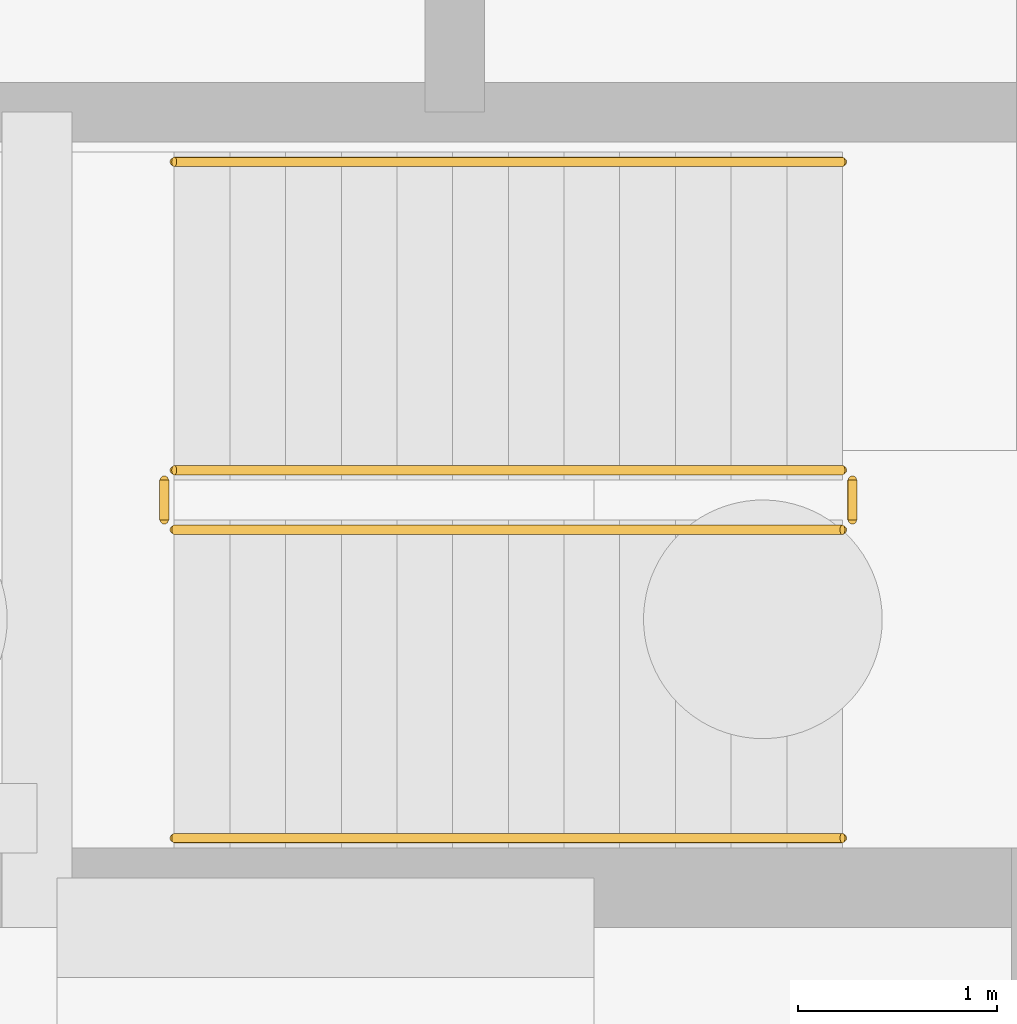
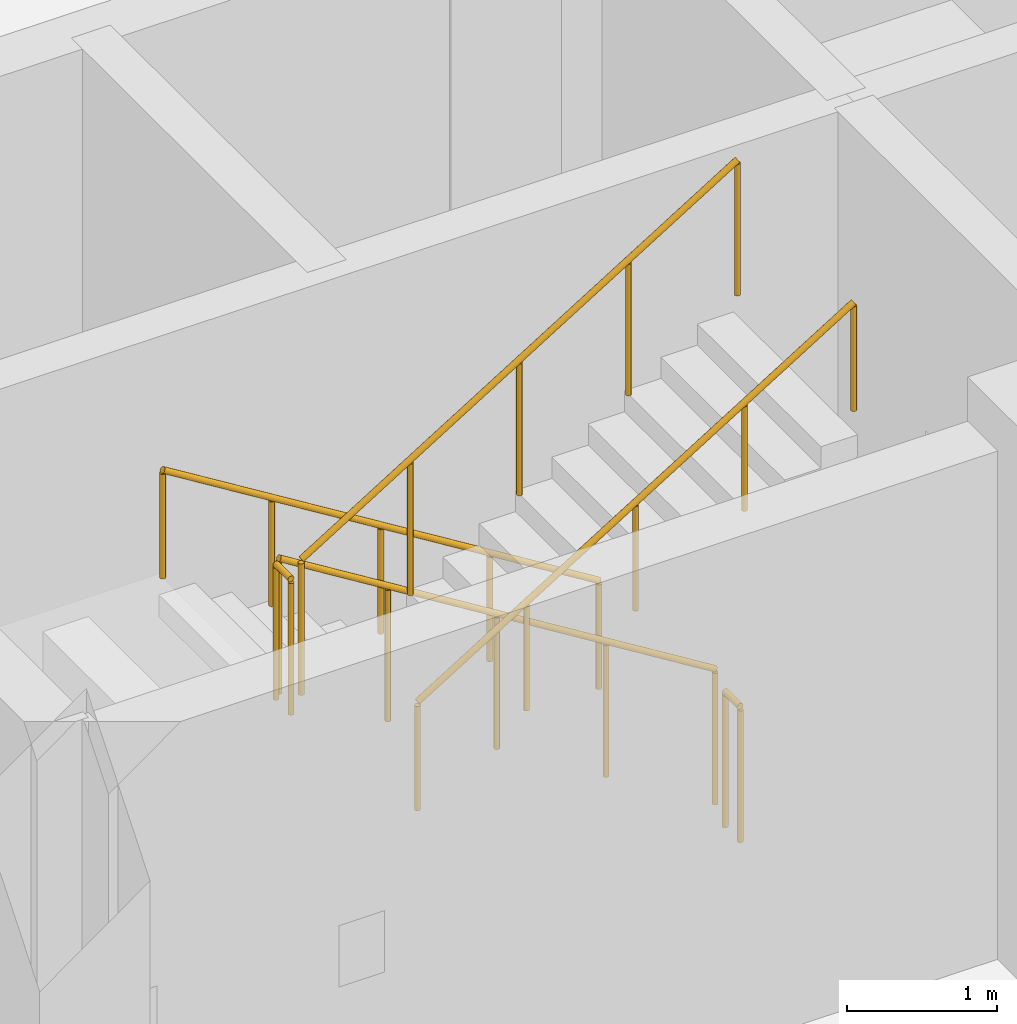
# One storey, part 40 of 42: 6 railings.
"""IFC4 building model written with IfcOpenShell, lengths in metres."""

from ifc_helpers import new_model, si_unit, direction, frame, origin, origin_2d, place, context, subcontext, project, spatial, circle, extrude, material, type_object, element, save


model = new_model("IFC4")

# Units and contexts
model_context = context("Model", 3, precision=1e-05, world=origin(), true_north=direction((0.0, 1.0)))
body_context = subcontext(model_context, "Body", "Model", "MODEL_VIEW")
ifc_project = project(units=[si_unit("LENGTHUNIT", "METRE"), si_unit("AREAUNIT", "SQUARE_METRE"), si_unit("VOLUMEUNIT", "CUBIC_METRE"), si_unit("PLANEANGLEUNIT", "RADIAN"), si_unit("MASSUNIT", "GRAM", prefix="KILO")], contexts=[model_context])

# Site, building, storey
site_placement = place(None, origin())
site = spatial("IfcSite", under=ifc_project, at=site_placement, CompositionType="ELEMENT")
building_placement = place(site_placement, origin())
building = spatial("IfcBuilding", under=site, at=building_placement, Name="Dalvernix Boulevard General Hospital", CompositionType="ELEMENT")
storey_placement = place(building_placement, frame((0.0, 0.0, -4.5)))
storey = spatial("IfcBuildingStorey", under=building, at=storey_placement, Name="B1", CompositionType="ELEMENT", Elevation=-4.5)

# Railings
ifc_material_1 = material(Name="Brushed stainless steel balustrade", Category="steel")
railing_type_1 = type_object("IfcRailingType", Name="RL-GR-INT1", PredefinedType="BALUSTRADE", material=ifc_material_1)
railing_1_placement = place(storey_placement, frame((133.85009765625, 9.800048828125, 0.173095703125)))
element("IfcRailing", 1, at=railing_1_placement, inside=storey, type_object=railing_type_1, Name="B1 ST-05 stair guard 1", PredefinedType="BALUSTRADE", context=body_context, shape_type="SweptSolid", body=[
    extrude(circle(Radius=0.02392578125, at=origin_2d()), frame((0.0, 0.0, 1.09619140625), z_axis=(-0.850623216509, 0.0, 0.525775754039), x_axis=(0.0, -1.0, 0.0)), (0.0, 0.0, 1.0), 3.9501953125),
    extrude(circle(Radius=0.02099609375, at=origin_2d()), origin(), (0.0, 0.0, 1.0), 1.072021484375),
    extrude(circle(Radius=0.02099609375, at=origin_2d()), frame((-0.840087890625, 0.0, 0.519287109375)), (0.0, 0.0, 1.0), 1.072021484375),
    extrude(circle(Radius=0.02099609375, at=origin_2d()), frame((-1.68017578125, 0.0, 1.03857421875)), (0.0, 0.0, 1.0), 1.072021484375),
    extrude(circle(Radius=0.02099609375, at=origin_2d()), frame((-2.52001953125, 0.0, 1.5576171875)), (0.0, 0.0, 1.0), 1.072021484375),
    extrude(circle(Radius=0.02099609375, at=origin_2d()), frame((-3.360107421875, 0.0, 2.076904296875)), (0.0, 0.0, 1.0), 1.072021484375),
])
railing_2_placement = place(storey_placement, frame((130.43994140625, 9.75, 2.25)))
element("IfcRailing", 2, at=railing_2_placement, inside=storey, type_object=railing_type_1, Name="B1 ST-05 stair guard 2", PredefinedType="BALUSTRADE", context=body_context, shape_type="SweptSolid", body=[
    extrude(circle(Radius=0.02392578125, at=origin_2d()), frame((0.0, 0.0, 1.09619140625), z_axis=(0.0, -1.0, 0.0), x_axis=(1.0, 0.0, 0.0)), (0.0, 0.0, 1.0), 0.199951171875),
    extrude(circle(Radius=0.02099609375, at=origin_2d()), origin(), (0.0, 0.0, 1.0), 1.072021484375),
    extrude(circle(Radius=0.02099609375, at=origin_2d()), frame((0.0, -0.199951171875, 0.0)), (0.0, 0.0, 1.0), 1.072021484375),
])
railing_3_placement = place(storey_placement, frame((130.489990234375, 9.5, 2.423095703125)))
element("IfcRailing", 3, at=railing_3_placement, inside=storey, type_object=railing_type_1, Name="B1 ST-05 stair guard 3", PredefinedType="BALUSTRADE", context=body_context, shape_type="SweptSolid", body=[
    extrude(circle(Radius=0.02392578125, at=origin_2d()), frame((0.0, 0.0, 1.09619140625), z_axis=(0.850623216509, 0.0, 0.525775754039), x_axis=(0.0, 1.0, 0.0)), (0.0, 0.0, 1.0), 3.9501953125),
    extrude(circle(Radius=0.02099609375, at=origin_2d()), origin(), (0.0, 0.0, 1.0), 1.072021484375),
    extrude(circle(Radius=0.02099609375, at=origin_2d()), frame((0.840087890625, 0.0, 0.519287109375)), (0.0, 0.0, 1.0), 1.072021484375),
    extrude(circle(Radius=0.02099609375, at=origin_2d()), frame((1.68017578125, 0.0, 1.03857421875)), (0.0, 0.0, 1.0), 1.072021484375),
    extrude(circle(Radius=0.02099609375, at=origin_2d()), frame((2.52001953125, 0.0, 1.5576171875)), (0.0, 0.0, 1.0), 1.072021484375),
    extrude(circle(Radius=0.02099609375, at=origin_2d()), frame((3.360107421875, 0.0, 2.076904296875)), (0.0, 0.0, 1.0), 1.072021484375),
])
railing_4_placement = place(storey_placement, frame((133.89990234375, 9.75, 0.0)))
element("IfcRailing", 4, at=railing_4_placement, inside=storey, type_object=railing_type_1, Name="B1 ST-05 stair guard 4", PredefinedType="BALUSTRADE", context=body_context, shape_type="SweptSolid", body=[
    extrude(circle(Radius=0.02392578125, at=origin_2d()), frame((0.0, 0.0, 1.09619140625), z_axis=(0.0, -1.0, 0.0), x_axis=(1.0, 0.0, 0.0)), (0.0, 0.0, 1.0), 0.199951171875),
    extrude(circle(Radius=0.02099609375, at=origin_2d()), origin(), (0.0, 0.0, 1.0), 1.072021484375),
    extrude(circle(Radius=0.02099609375, at=origin_2d()), frame((0.0, -0.199951171875, 0.0)), (0.0, 0.0, 1.0), 1.072021484375),
])
ifc_material_2 = material(Name="Brushed stainless steel wall handrail", Category="steel")
railing_type_2 = type_object("IfcRailingType", Name="RL-HR-INT1", PredefinedType="HANDRAIL", material=ifc_material_2)
railing_5_placement = place(storey_placement, frame((133.85009765625, 11.35009765625, 0.173095703125)))
element("IfcRailing", 5, at=railing_5_placement, inside=storey, type_object=railing_type_2, Name="B1 ST-05 stair handrail 1", PredefinedType="HANDRAIL", context=body_context, shape_type="SweptSolid", body=[
    extrude(circle(Radius=0.02392578125, at=origin_2d()), frame((0.0, 0.0, 0.8759765625), z_axis=(-0.850623216509, 0.0, 0.525775754039), x_axis=(0.0, -1.0, 0.0)), (0.0, 0.0, 1.0), 3.9501953125),
    extrude(circle(Radius=0.02099609375, at=origin_2d()), origin(), (0.0, 0.0, 1.0), 0.851806640625),
    extrude(circle(Radius=0.02099609375, at=origin_2d()), frame((-0.840087890625, 0.0, 0.519287109375)), (0.0, 0.0, 1.0), 0.851806640625),
    extrude(circle(Radius=0.02099609375, at=origin_2d()), frame((-1.68017578125, 0.0, 1.03857421875)), (0.0, 0.0, 1.0), 0.851806640625),
    extrude(circle(Radius=0.02099609375, at=origin_2d()), frame((-2.52001953125, 0.0, 1.5576171875)), (0.0, 0.0, 1.0), 0.851806640625),
    extrude(circle(Radius=0.02099609375, at=origin_2d()), frame((-3.360107421875, 0.0, 2.076904296875)), (0.0, 0.0, 1.0), 0.851806640625),
])
railing_6_placement = place(storey_placement, frame((130.489990234375, 7.949951171875, 2.423095703125)))
element("IfcRailing", 6, at=railing_6_placement, inside=storey, type_object=railing_type_2, Name="B1 ST-05 stair handrail 2", PredefinedType="HANDRAIL", context=body_context, shape_type="SweptSolid", body=[
    extrude(circle(Radius=0.02392578125, at=origin_2d()), frame((0.0, 0.0, 0.8759765625), z_axis=(0.850623216509, 0.0, 0.525775754039), x_axis=(0.0, 1.0, 0.0)), (0.0, 0.0, 1.0), 3.9501953125),
    extrude(circle(Radius=0.02099609375, at=origin_2d()), origin(), (0.0, 0.0, 1.0), 0.851806640625),
    extrude(circle(Radius=0.02099609375, at=origin_2d()), frame((0.840087890625, 0.0, 0.519287109375)), (0.0, 0.0, 1.0), 0.851806640625),
    extrude(circle(Radius=0.02099609375, at=origin_2d()), frame((1.68017578125, 0.0, 1.03857421875)), (0.0, 0.0, 1.0), 0.851806640625),
    extrude(circle(Radius=0.02099609375, at=origin_2d()), frame((2.52001953125, 0.0, 1.5576171875)), (0.0, 0.0, 1.0), 0.851806640625),
    extrude(circle(Radius=0.02099609375, at=origin_2d()), frame((3.360107421875, 0.0, 2.076904296875)), (0.0, 0.0, 1.0), 0.851806640625),
])

save(model, "model.ifc")
